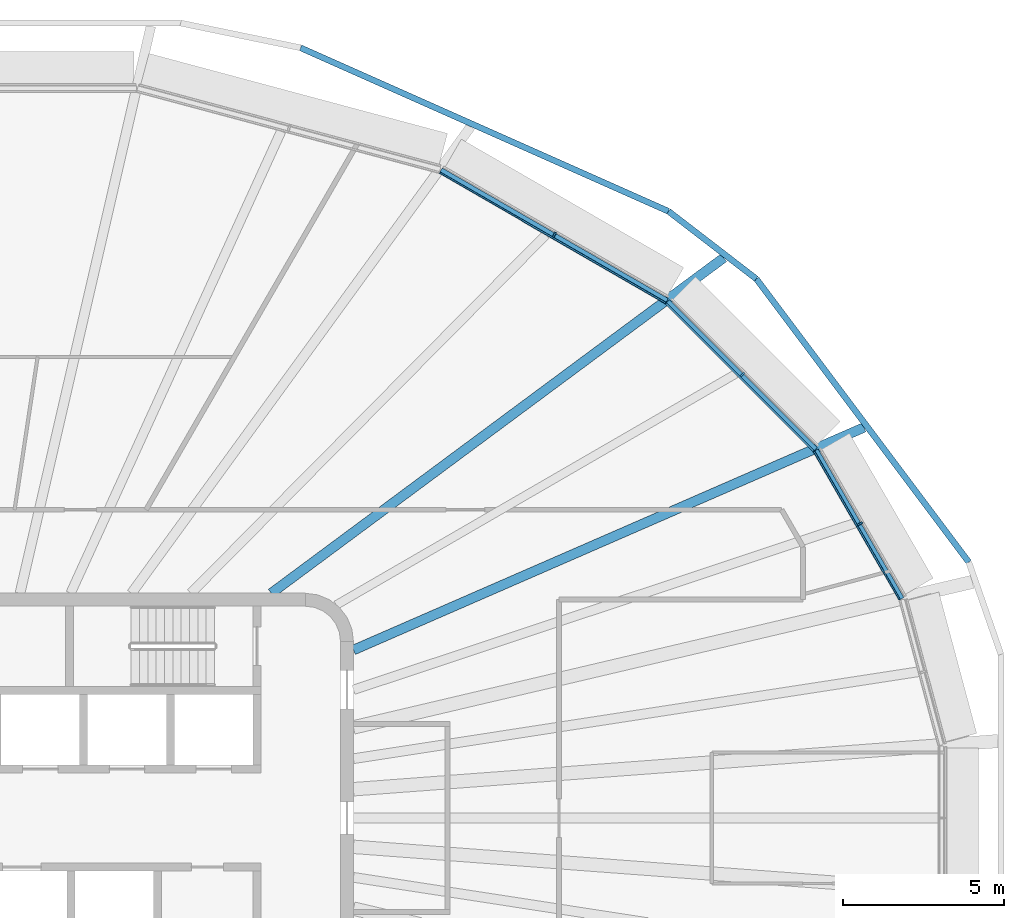
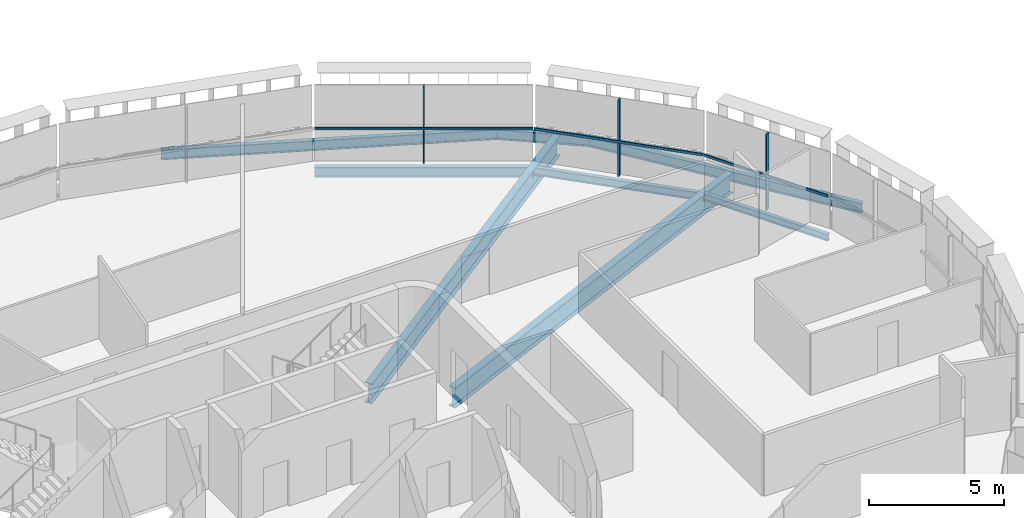
# One storey, part 7 of 20: 8 beams, 6 members, 3 elements without a shape of their own.
"""IFC4 building model written with IfcOpenShell, lengths in metres."""

from ifc_helpers import new_model, si_unit, direction, frame, origin, origin_2d, place, context, subcontext, project, spatial, rectangle, i_section, extrude, material, layer, layer_set, material_profile, profile_set, type_object, element, aggregate, save


model = new_model("IFC4")

# Units and contexts
model_context = context("Model", 3, precision=1e-05, world=origin(), true_north=direction((0.0, 1.0)))
body_context = subcontext(model_context, "Body", "Model", "MODEL_VIEW")
ifc_project = project(units=[si_unit("LENGTHUNIT", "METRE"), si_unit("AREAUNIT", "SQUARE_METRE"), si_unit("VOLUMEUNIT", "CUBIC_METRE"), si_unit("PLANEANGLEUNIT", "RADIAN"), si_unit("MASSUNIT", "GRAM", prefix="KILO")], contexts=[model_context])

# Site, building, storey
site_placement = place(None, origin())
site = spatial("IfcSite", under=ifc_project, at=site_placement, CompositionType="ELEMENT")
building_placement = place(site_placement, origin())
building = spatial("IfcBuilding", under=site, at=building_placement, Name="Sahrelin Media Tower", CompositionType="ELEMENT")
storey_placement = place(building_placement, frame((0.0, 0.0, 237.60009765625)))
storey = spatial("IfcBuildingStorey", under=building, at=storey_placement, Name="L51", CompositionType="ELEMENT", Elevation=237.60009765625)

# Beams
ifc_material_1 = material(Name="Steel S355", Category="steel")
ifc_material_profile_1 = material_profile(ifc_material_1, i_section(OverallWidth=0.1650390625, OverallDepth=0.303466796875, WebThickness=0.006103515625, FlangeThickness=0.01025390625, FilletRadius=0.0087890625, at=origin_2d()), Name="UB 305x165x40")
ifc_profile_set_1 = profile_set([ifc_material_profile_1], Name="Steel S355")
beam_type_1 = type_object("IfcBeamType", Name="Edge beam EB2", PredefinedType="BEAM", material=ifc_profile_set_1)
beam_1_placement = place(storey_placement, frame((26.399169921875, 11.453369140625, -0.3017578125), z_axis=(0.500034814518, -0.86600530268, 0.0), x_axis=(0.86600530268, 0.500034814518, 0.0)))
element("IfcBeam", 1, at=beam_1_placement, inside=storey, type_object=beam_type_1, Name="Edge beam L51-23", PredefinedType="BEAM", context=body_context, shape_type="SweptSolid", body=[
    extrude(i_section(OverallWidth=0.1650390625, OverallDepth=0.303466796875, WebThickness=0.006103515625, FlangeThickness=0.01025390625, FilletRadius=0.0087890625, at=origin_2d()), origin(), (0.0, 0.0, 1.0), 5.3447265625),
])
ifc_material_profile_2 = material_profile(ifc_material_1, i_section(OverallWidth=0.17138671875, OverallDepth=0.35498046875, WebThickness=0.00732421875, FlangeThickness=0.011474609375, FilletRadius=0.01025390625, at=origin_2d()), Name="UB 356x171x51")
ifc_profile_set_2 = profile_set([ifc_material_profile_2], Name="Steel S355")
beam_type_2 = type_object("IfcBeamType", Name="Edge beam EB3", PredefinedType="BEAM", material=ifc_profile_set_2)
beam_2_placement = place(storey_placement, frame((21.779296875, 16.07861328125, -0.32763671875), z_axis=(0.707106781187, -0.707106781187, 0.0), x_axis=(0.707106781187, 0.707106781187, 0.0)))
element("IfcBeam", 2, at=beam_2_placement, inside=storey, type_object=beam_type_2, Name="Edge beam L51-22", PredefinedType="BEAM", context=body_context, shape_type="SweptSolid", body=[
    extrude(i_section(OverallWidth=0.17138671875, OverallDepth=0.35498046875, WebThickness=0.00732421875, FlangeThickness=0.011474609375, FilletRadius=0.01025390625, at=origin_2d()), origin(), (0.0, 0.0, 1.0), 6.508544921875),
])
ifc_material_profile_3 = material_profile(ifc_material_1, i_section(OverallWidth=0.1904296875, OverallDepth=0.45703125, WebThickness=0.009033203125, FlangeThickness=0.014404296875, FilletRadius=0.01025390625, at=origin_2d()), Name="UB 457x191x74")
ifc_profile_set_3 = profile_set([ifc_material_profile_3], Name="Steel S355")
beam_type_3 = type_object("IfcBeamType", Name="Edge beam EB5", PredefinedType="BEAM", material=ifc_profile_set_3)
beam_3_placement = place(storey_placement, frame((14.716796875, 20.160400390625, -0.378662109375), z_axis=(0.866024038412, -0.500002364886, 0.0), x_axis=(0.500002364886, 0.866024038412, 0.0)))
element("IfcBeam", 3, at=beam_3_placement, inside=storey, type_object=beam_type_3, Name="Edge beam L51-21", PredefinedType="BEAM", context=body_context, shape_type="SweptSolid", body=[
    extrude(i_section(OverallWidth=0.1904296875, OverallDepth=0.45703125, WebThickness=0.009033203125, FlangeThickness=0.014404296875, FilletRadius=0.01025390625, at=origin_2d()), origin(), (0.0, 0.0, 1.0), 8.12890625),
])

# Curtain wall, member
ifc_material_2 = material(Name="Champagne anodised aluminium 6063-T6", Category="aluminium")
ifc_layer = layer(ifc_material_2, 0.14990234375)
ifc_layer_set = layer_set([ifc_layer], Name="Tower ribbon curtain wall")
curtain_wall_type = type_object("IfcCurtainWallType", Name="Tower ribbon curtain wall", PredefinedType="NOTDEFINED", material=ifc_layer_set)
curtain_wall_1_placement = place(storey_placement, frame((27.865234375, 9.214111328125, 0.0), z_axis=(0.0, 0.0, 1.0), x_axis=(1.0, 0.0, 0.0)))
curtain_wall_1 = element("IfcCurtainWall", 4, at=curtain_wall_1_placement, inside=storey, type_object=curtain_wall_type, Name="L51:CW:L51-02", PredefinedType="NOTDEFINED")
ifc_material_profile_4 = material_profile(ifc_material_2, rectangle(XDim=0.06005859375, YDim=0.175048828125, at=origin_2d()), Name="Mullion 60x175")
ifc_profile_set_4 = profile_set([ifc_material_profile_4], Name="Champagne anodised aluminium 6063-T6")
member_type_1 = type_object("IfcMemberType", Name="Mullion 60x175 CW1B", PredefinedType="MULLION", material=ifc_profile_set_4)
member_1_placement = place(storey_placement, frame((27.772216796875, 9.16015625, 0.0), z_axis=(0.0, 0.0, 1.0), x_axis=(-0.500009068969, 0.866020167749, 0.0)))
member_1 = element("IfcMember", 5, at=member_1_placement, type_object=member_type_1, Name="L51:CWM:L51-02", PredefinedType="MULLION", context=body_context, shape_type="SweptSolid", body=[
    extrude(rectangle(XDim=0.06005859375, YDim=0.175048828125, at=origin_2d()), origin(), (0.0, 0.0, 1.0), 3.448486328125),
])

curtain_wall_2_placement = place(storey_placement, frame((24.1865234375, 13.88330078125, 0.0), z_axis=(0.0, 0.0, 1.0), x_axis=(1.0, 0.0, 0.0)))
curtain_wall_2 = element("IfcCurtainWall", 6, at=curtain_wall_2_placement, inside=storey, type_object=curtain_wall_type, Name="L51:CW:L51-03", PredefinedType="NOTDEFINED")
member_2_placement = place(storey_placement, frame((24.110595703125, 13.807373046875, 0.0), z_axis=(0.0, 0.0, 1.0), x_axis=(-0.707106781187, 0.707106781187, 0.0)))
member_2 = element("IfcMember", 7, at=member_2_placement, type_object=member_type_1, Name="L51:CWM:L51-03", PredefinedType="MULLION", context=body_context, shape_type="SweptSolid", body=[
    extrude(rectangle(XDim=0.06005859375, YDim=0.175048828125, at=origin_2d()), origin(), (0.0, 0.0, 1.0), 3.448486328125),
])

curtain_wall_3_placement = place(storey_placement, frame((18.3115234375, 18.25830078125, 0.0), z_axis=(0.0, 0.0, 1.0), x_axis=(1.0, 0.0, 0.0)))
curtain_wall_3 = element("IfcCurtainWall", 8, at=curtain_wall_3_placement, inside=storey, type_object=curtain_wall_type, Name="L51:CW:L51-04", PredefinedType="NOTDEFINED")
member_3_placement = place(storey_placement, frame((18.2578125, 18.1650390625, 0.0), z_axis=(0.0, 0.0, 1.0), x_axis=(-0.866027149108, 0.499996976998, 0.0)))
member_3 = element("IfcMember", 9, at=member_3_placement, type_object=member_type_1, Name="L51:CWM:L51-04", PredefinedType="MULLION", context=body_context, shape_type="SweptSolid", body=[
    extrude(rectangle(XDim=0.06005859375, YDim=0.175048828125, at=origin_2d()), origin(), (0.0, 0.0, 1.0), 3.448486328125),
])

# Beams
ifc_material_profile_5 = material_profile(ifc_material_1, i_section(OverallWidth=0.30322265625, OverallDepth=0.903076171875, WebThickness=0.01513671875, FlangeThickness=0.020263671875, FilletRadius=0.01904296875, at=origin_2d()), Name="UB 914x305x201")
ifc_profile_set_5 = profile_set([ifc_material_profile_5], Name="Steel S355")
beam_type_4 = type_object("IfcBeamType", Name="Radial primary beam PB11", PredefinedType="BEAM", material=ifc_profile_set_5)
beam_4_placement = place(storey_placement, frame((12.0, 5.2314453125, -0.6015625), z_axis=(0.916675468722, 0.399632437427, 0.0), x_axis=(-0.399632437427, 0.916675468722, 0.0)))
element("IfcBeam", 10, at=beam_4_placement, inside=storey, type_object=beam_type_4, Name="Radial beam L51-03", PredefinedType="BEAM", context=body_context, shape_type="SweptSolid", body=[
    extrude(i_section(OverallWidth=0.30322265625, OverallDepth=0.903076171875, WebThickness=0.01513671875, FlangeThickness=0.020263671875, FilletRadius=0.01904296875, at=origin_2d()), origin(), (0.0, 0.0, 1.0), 17.342041015625),
])
beam_5_placement = place(storey_placement, frame((9.441162109375, 7.0, -0.6015625), z_axis=(0.803289615058, 0.59558861166, 0.0), x_axis=(-0.59558861166, 0.803289615058, 0.0)))
element("IfcBeam", 11, at=beam_5_placement, inside=storey, type_object=beam_type_4, Name="Radial beam L51-04", PredefinedType="BEAM", context=body_context, shape_type="SweptSolid", body=[
    extrude(i_section(OverallWidth=0.30322265625, OverallDepth=0.903076171875, WebThickness=0.01513671875, FlangeThickness=0.020263671875, FilletRadius=0.01904296875, at=origin_2d()), origin(), (0.0, 0.0, 1.0), 17.542236328125),
])
ifc_material_profile_6 = material_profile(ifc_material_1, i_section(OverallWidth=0.1904296875, OverallDepth=0.45703125, WebThickness=0.009033203125, FlangeThickness=0.014404296875, FilletRadius=0.01025390625, at=origin_2d()), Name="UB 457x191x74")
ifc_profile_set_6 = profile_set([ifc_material_profile_6], Name="Steel S355")
beam_type_5 = type_object("IfcBeamType", Name="Tie chord TC5", PredefinedType="BEAM", material=ifc_profile_set_6)
beam_6_placement = place(storey_placement, frame((31.162353515625, 7.96728515625, -0.378662109375), z_axis=(-0.600053135992, 0.799960145249, 0.0), x_axis=(-0.799960145249, -0.600053135992, 0.0)))
element("IfcBeam", 12, at=beam_6_placement, inside=storey, type_object=beam_type_5, Name="Tie chord L51-02", PredefinedType="BEAM", context=body_context, shape_type="SweptSolid", body=[
    extrude(i_section(OverallWidth=0.1904296875, OverallDepth=0.45703125, WebThickness=0.009033203125, FlangeThickness=0.014404296875, FilletRadius=0.01025390625, at=origin_2d()), origin(), (0.0, 0.0, 1.0), 11.02685546875),
])
beam_7_placement = place(storey_placement, frame((24.545654296875, 16.788330078125, -0.378662109375), z_axis=(-0.79244769643, 0.609939872793, 0.0), x_axis=(-0.609939872793, -0.79244769643, 0.0)))
element("IfcBeam", 13, at=beam_7_placement, inside=storey, type_object=beam_type_5, Name="Tie chord L51-03", PredefinedType="BEAM", context=body_context, shape_type="SweptSolid", body=[
    extrude(i_section(OverallWidth=0.1904296875, OverallDepth=0.45703125, WebThickness=0.009033203125, FlangeThickness=0.014404296875, FilletRadius=0.01025390625, at=origin_2d()), origin(), (0.0, 0.0, 1.0), 3.449951171875),
])
beam_8_placement = place(storey_placement, frame((21.811767578125, 18.892578125, -0.378662109375), z_axis=(-0.913826800586, 0.406104147395, 0.0), x_axis=(-0.406104147395, -0.913826800586, 0.0)))
element("IfcBeam", 14, at=beam_8_placement, inside=storey, type_object=beam_type_5, Name="Tie chord L51-04", PredefinedType="BEAM", context=body_context, shape_type="SweptSolid", body=[
    extrude(i_section(OverallWidth=0.1904296875, OverallDepth=0.45703125, WebThickness=0.009033203125, FlangeThickness=0.014404296875, FilletRadius=0.01025390625, at=origin_2d()), origin(), (0.0, 0.0, 1.0), 12.541259765625),
])

# Member
ifc_material_profile_7 = material_profile(ifc_material_2, rectangle(XDim=0.050048828125, YDim=0.110107421875, at=origin_2d()), Name="Transom 50x110")
ifc_profile_set_7 = profile_set([ifc_material_profile_7], Name="Champagne anodised aluminium 6063-T6")
member_type_2 = type_object("IfcMemberType", Name="Transom 50x110 CW1B", PredefinedType="USERDEFINED", material=ifc_profile_set_7)
member_4_placement = place(storey_placement, frame((29.003173828125, 6.80322265625, 1.599853515625), z_axis=(-0.500003519352, 0.866023371876, 0.0), x_axis=(-0.866023371876, -0.500003519352, 0.0)))
member_4 = element("IfcMember", 15, at=member_4_placement, type_object=member_type_2, Name="L51:CWT:L51-02", ObjectType="TRANSOM", PredefinedType="USERDEFINED", context=body_context, shape_type="SweptSolid", body=[
    extrude(rectangle(XDim=0.050048828125, YDim=0.110107421875, at=origin_2d()), origin(), (0.0, 0.0, 1.0), 5.3134765625),
])

aggregate(curtain_wall_1, [member_1, member_4])

member_5_placement = place(storey_placement, frame((26.321044921875, 11.43798828125, 1.599853515625), z_axis=(-0.707125627567, 0.707087934304, 0.0), x_axis=(-0.707087934304, -0.707125627567, 0.0)))
member_5 = element("IfcMember", 16, at=member_5_placement, type_object=member_type_2, Name="L51:CWT:L51-03", ObjectType="TRANSOM", PredefinedType="USERDEFINED", context=body_context, shape_type="SweptSolid", body=[
    extrude(rectangle(XDim=0.050048828125, YDim=0.110107421875, at=origin_2d()), origin(), (0.0, 0.0, 1.0), 6.47705078125),
])

aggregate(curtain_wall_2, [member_2, member_5])

member_6_placement = place(storey_placement, frame((21.7080078125, 16.043212890625, 1.599853515625), z_axis=(-0.866022911947, 0.500004315964, 0.0), x_axis=(-0.500004315964, -0.866022911947, 0.0)))
member_6 = element("IfcMember", 17, at=member_6_placement, type_object=member_type_2, Name="L51:CWT:L51-04", ObjectType="TRANSOM", PredefinedType="USERDEFINED", context=body_context, shape_type="SweptSolid", body=[
    extrude(rectangle(XDim=0.050048828125, YDim=0.110107421875, at=origin_2d()), origin(), (0.0, 0.0, 1.0), 8.09765625),
])

aggregate(curtain_wall_3, [member_3, member_6])

save(model, "model.ifc")
